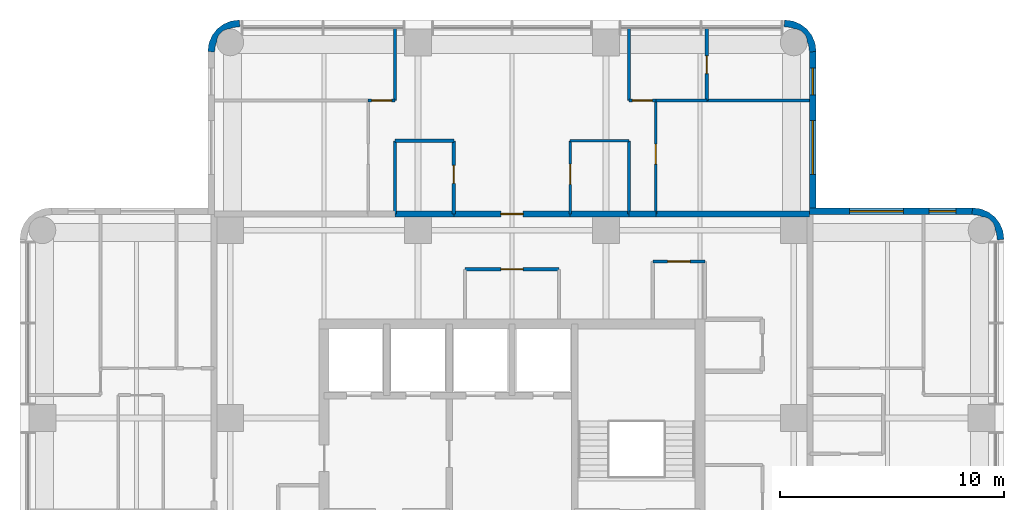
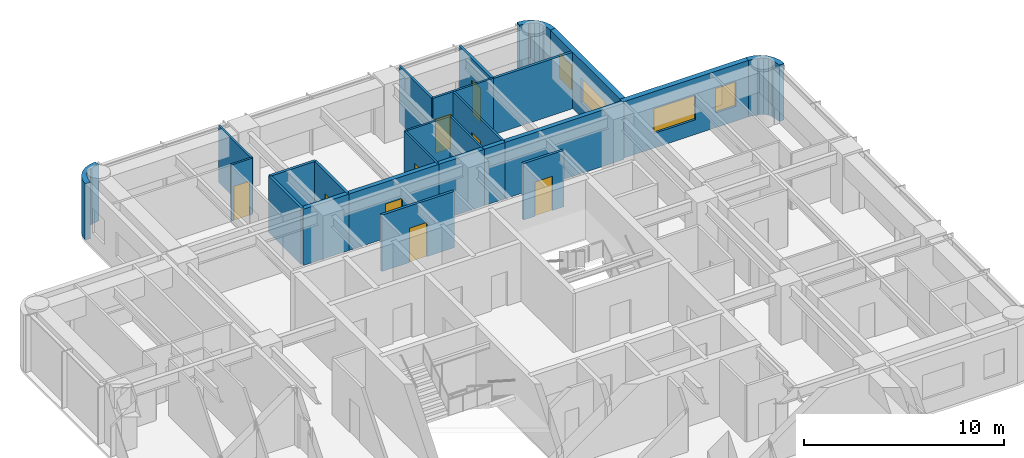
# One storey, part 8 of 10: 26 walls, 9 doors, 4 windows, 13 openings.
"""IFC4 building model written with IfcOpenShell, lengths in metres."""

from ifc_helpers import new_model, si_unit, direction, frame, frame_2d, origin, place, context, subcontext, project, spatial, polyline, rectangle, outline, extrude, material, layer, layer_set, type_object, element, fill, save


model = new_model("IFC4")

# Units and contexts
model_context = context("Model", 3, precision=1e-05, world=origin(), true_north=direction((0.0, 1.0)))
body_context = subcontext(model_context, "Body", "Model", "MODEL_VIEW")
ifc_project = project(units=[si_unit("LENGTHUNIT", "METRE"), si_unit("AREAUNIT", "SQUARE_METRE"), si_unit("VOLUMEUNIT", "CUBIC_METRE"), si_unit("PLANEANGLEUNIT", "RADIAN"), si_unit("MASSUNIT", "GRAM", prefix="KILO")], contexts=[model_context])

# Site, building, storey
site_placement = place(None, origin())
site = spatial("IfcSite", under=ifc_project, at=site_placement, CompositionType="ELEMENT")
building_placement = place(site_placement, origin())
building = spatial("IfcBuilding", under=site, at=building_placement, Name="Torre Alcanfor", CompositionType="ELEMENT")
storey_placement = place(building_placement, frame((0.0, 0.0, 261.300048828125)))
storey = spatial("IfcBuildingStorey", under=building, at=storey_placement, Name="L68", CompositionType="ELEMENT", Elevation=261.300048828125)

# Wall, opening, door
ifc_material_1 = material(Name="Concrete block masonry, hollow blocks NMX-C-404 9 MPa", Category="masonry")
ifc_layer_1 = layer(ifc_material_1, 0.25)
ifc_layer_set_1 = layer_set([ifc_layer_1], Name="Apartment entrance wall 250 EI 60")
wall_type_1 = type_object("IfcWallType", Name="Apartment entrance wall 250 EI 60", PredefinedType="PARTITIONING", material=ifc_layer_set_1)
wall_1_placement = place(storey_placement, frame((26.800048828125, 42.72509765625, 0.0), z_axis=(0.0, 0.0, 1.0), x_axis=(1.0, 0.0, 0.0)))
wall_1 = element("IfcWall", 1, at=wall_1_placement, inside=storey, type_object=wall_type_1, Name="Partition L68-CORR / L68-NX-ZAG", PredefinedType="PARTITIONING", context=body_context, shape_type="SweptSolid", body=[
    extrude(rectangle(XDim=5.199951171875, YDim=0.25, at=frame_2d((2.60009765625, 0.0))), origin(), (0.0, 0.0, 1.0), 3.449951171875),
])
opening_1_placement = place(wall_1_placement, frame((2.10009765625, 0.0, 0.0)))
opening_1 = element("IfcOpeningElement", 2, at=opening_1_placement, cuts=wall_1, Name="Opening D-A1", PredefinedType="OPENING", context=body_context, shape_type="SweptSolid", body=[
    extrude(rectangle(XDim=1.0, YDim=2.10009765625, at=frame_2d((0.5, 1.050048828125))), frame((0.0, 0.135009765625, 0.0), z_axis=(0.0, -1.0, 0.0), x_axis=(1.0, 0.0, 0.0)), (0.0, 0.0, 1.0), 0.27001953125),
])
ifc_material_2 = material(Name="Galvanised steel sheet ASTM A653", Category="steel")
door_type_1 = type_object("IfcDoorType", Name="Apartment entrance door FD60 1000x2100", OperationType="SINGLE_SWING_LEFT", PredefinedType="DOOR", material=ifc_material_2)
door_1_placement = place(opening_1_placement, origin())
door_1 = element("IfcDoor", 3, at=door_1_placement, inside=storey, type_object=door_type_1, Name="Apartment entrance L68-NX", OperationType="SINGLE_SWING_LEFT", OverallHeight=2.10009765625, OverallWidth=1.0, PredefinedType="DOOR", context=body_context, shape_type="SweptSolid", body=[
    extrude(rectangle(XDim=1.0, YDim=2.10009765625, at=frame_2d((0.5, 1.050048828125))), frame((0.0, 0.02490234375, 0.0), z_axis=(0.0, -1.0, 0.0), x_axis=(1.0, 0.0, 0.0)), (0.0, 0.0, 1.0), 0.050048828125),
])
fill(opening_1, door_1)

# Walls
wall_2_placement = place(storey_placement, frame((24.1708984375, 42.72509765625, 0.0), z_axis=(0.0, 0.0, 1.0), x_axis=(1.0, 0.0, 0.0)))
element("IfcWall", 4, at=wall_2_placement, inside=storey, type_object=wall_type_1, Name="Partition L68-CORR / L68-NX-BATH2", PredefinedType="PARTITIONING", context=body_context, shape_type="SweptSolid", body=[
    extrude(rectangle(XDim=2.629150390625, YDim=0.25, at=frame_2d((1.314453125, 0.0))), origin(), (0.0, 0.0, 1.0), 3.449951171875),
])
wall_3_placement = place(storey_placement, frame((32.0, 42.72509765625, 0.0), z_axis=(0.0, 0.0, 1.0), x_axis=(1.0, 0.0, 0.0)))
element("IfcWall", 5, at=wall_3_placement, inside=storey, type_object=wall_type_1, Name="Partition L68-CORR / L68-NX-KITCHEN", PredefinedType="PARTITIONING", context=body_context, shape_type="SweptSolid", body=[
    extrude(rectangle(XDim=2.62890625, YDim=0.25, at=frame_2d((1.314453125, 0.0))), origin(), (0.0, 0.0, 1.0), 3.449951171875),
])
wall_4_placement = place(storey_placement, frame((34.62890625, 42.72509765625, 0.0), z_axis=(0.0, 0.0, 1.0), x_axis=(1.0, 0.0, 0.0)))
element("IfcWall", 6, at=wall_4_placement, inside=storey, type_object=wall_type_1, Name="Partition L68-CORR / L68-NX-LIVING", PredefinedType="PARTITIONING", context=body_context, shape_type="SweptSolid", body=[
    extrude(rectangle(XDim=1.2001953125, YDim=0.25, at=frame_2d((0.60009765625, 0.0))), origin(), (0.0, 0.0, 1.0), 3.449951171875),
])
wall_5_placement = place(storey_placement, frame((35.8291015625, 42.72509765625, 0.0), z_axis=(0.0, 0.0, 1.0), x_axis=(1.0, 0.0, 0.0)))
element("IfcWall", 7, at=wall_5_placement, inside=storey, type_object=wall_type_1, Name="Partition L68-CORR / L68-NX-BED3", PredefinedType="PARTITIONING", context=body_context, shape_type="SweptSolid", body=[
    extrude(rectangle(XDim=6.870849609375, YDim=0.25, at=frame_2d((3.435546875, 0.0))), origin(), (0.0, 0.0, 1.0), 3.449951171875),
])

# Wall, opening, door
ifc_material_3 = material(Name="Gypsum board on steel studs", Category="steel")
ifc_layer_2 = layer(ifc_material_3, 0.1201171875)
ifc_layer_set_2 = layer_set([ifc_layer_2], Name="Apartment partition 120")
wall_type_2 = type_object("IfcWallType", Name="Apartment partition 120", PredefinedType="PARTITIONING", material=ifc_layer_set_2)
wall_6_placement = place(storey_placement, frame((32.0, 42.72509765625, 0.0), z_axis=(0.0, 0.0, 1.0), x_axis=(0.0, 1.0, 0.0)))
wall_6 = element("IfcWall", 8, at=wall_6_placement, inside=storey, type_object=wall_type_2, Name="Partition L68-NX-ZAG / L68-NX-KITCHEN", PredefinedType="PARTITIONING", context=body_context, shape_type="SweptSolid", body=[
    extrude(rectangle(XDim=3.27490234375, YDim=0.1201171875, at=frame_2d((1.637451171875, 0.0))), origin(), (0.0, 0.0, 1.0), 3.449951171875),
])
opening_2_placement = place(wall_6_placement, frame((1.324951171875, 0.0, 0.0)))
opening_2 = element("IfcOpeningElement", 9, at=opening_2_placement, cuts=wall_6, Name="Opening D-R1", PredefinedType="OPENING", context=body_context, shape_type="SweptSolid", body=[
    extrude(rectangle(XDim=0.89990234375, YDim=2.10009765625, at=frame_2d((0.449951171875, 1.050048828125))), frame((0.0, 0.070068359375, 0.0), z_axis=(0.0, -1.0, 0.0), x_axis=(1.0, 0.0, 0.0)), (0.0, 0.0, 1.0), 0.14013671875),
])
ifc_material_4 = material(Name="Timber", Category="wood")
door_type_2 = type_object("IfcDoorType", Name="Internal door 900x2100", OperationType="SINGLE_SWING_LEFT", PredefinedType="DOOR", material=ifc_material_4)
door_2_placement = place(opening_2_placement, frame((0.89990234375, 0.0, 0.0), z_axis=(0.0, 0.0, 1.0), x_axis=(-1.0, 0.0, 0.0)))
door_2 = element("IfcDoor", 10, at=door_2_placement, inside=storey, type_object=door_type_2, Name="Door L68-NX kitchen", OperationType="SINGLE_SWING_LEFT", OverallHeight=2.10009765625, OverallWidth=0.89990234375, PredefinedType="DOOR", context=body_context, shape_type="SweptSolid", body=[
    extrude(rectangle(XDim=0.89990234375, YDim=2.10009765625, at=frame_2d((0.449951171875, 1.050048828125))), frame((0.0, 0.025146484375, 0.0), z_axis=(0.0, -1.0, 0.0), x_axis=(1.0, 0.0, 0.0)), (0.0, 0.0, 1.0), 0.050048828125),
])
fill(opening_2, door_2)

# Walls
wall_7_placement = place(storey_placement, frame((34.62890625, 42.72509765625, 0.0), z_axis=(0.0, 0.0, 1.0), x_axis=(0.0, 1.0, 0.0)))
element("IfcWall", 11, at=wall_7_placement, inside=storey, type_object=wall_type_2, Name="Partition L68-NX-KITCHEN / L68-NX-LIVING", PredefinedType="PARTITIONING", context=body_context, shape_type="SweptSolid", body=[
    extrude(rectangle(XDim=3.27490234375, YDim=0.1201171875, at=frame_2d((1.637451171875, 0.0))), origin(), (0.0, 0.0, 1.0), 3.449951171875),
])
wall_8_placement = place(storey_placement, frame((34.62890625, 46.0, 0.0), z_axis=(0.0, 0.0, 1.0), x_axis=(-1.0, 0.0, 0.0)))
element("IfcWall", 12, at=wall_8_placement, inside=storey, type_object=wall_type_2, Name="Partition L68-NX-KITCHEN / L68-NX-LIVING", PredefinedType="PARTITIONING", context=body_context, shape_type="SweptSolid", body=[
    extrude(rectangle(XDim=2.62890625, YDim=0.1201171875, at=frame_2d((1.314453125, 0.0))), origin(), (0.0, 0.0, 1.0), 3.449951171875),
])

# Wall, opening, door
wall_9_placement = place(storey_placement, frame((22.970947265625, 47.800048828125, 0.0), z_axis=(0.0, 0.0, 1.0), x_axis=(1.0, 0.0, 0.0)))
wall_9 = element("IfcWall", 13, at=wall_9_placement, inside=storey, type_object=wall_type_2, Name="Partition L68-NX-LIVING / L68-NX-MASTER", PredefinedType="PARTITIONING", context=body_context, shape_type="SweptSolid", body=[
    extrude(rectangle(XDim=1.199951171875, YDim=0.1201171875, at=frame_2d((0.60009765625, 0.0))), origin(), (0.0, 0.0, 1.0), 3.449951171875),
])
opening_3_placement = place(wall_9_placement, frame((0.14892578125, 0.0, 0.0)))
opening_3 = element("IfcOpeningElement", 14, at=opening_3_placement, cuts=wall_9, Name="Opening D-R1", PredefinedType="OPENING", context=body_context, shape_type="SweptSolid", body=[
    extrude(rectangle(XDim=0.89990234375, YDim=2.10009765625, at=frame_2d((0.449951171875, 1.050048828125))), frame((0.0, 0.070068359375, 0.0), z_axis=(0.0, -1.0, 0.0), x_axis=(1.0, 0.0, 0.0)), (0.0, 0.0, 1.0), 0.14013671875),
])
door_3_placement = place(opening_3_placement, origin())
door_3 = element("IfcDoor", 15, at=door_3_placement, inside=storey, type_object=door_type_2, Name="Door L68-NX master", OperationType="SINGLE_SWING_RIGHT", OverallHeight=2.10009765625, OverallWidth=0.89990234375, PredefinedType="DOOR", context=body_context, shape_type="SweptSolid", body=[
    extrude(rectangle(XDim=0.89990234375, YDim=2.10009765625, at=frame_2d((0.449951171875, 1.050048828125))), frame((0.0, 0.02490234375, 0.0), z_axis=(0.0, -1.0, 0.0), x_axis=(1.0, 0.0, 0.0)), (0.0, 0.0, 1.0), 0.050048828125),
])
fill(opening_3, door_3)

# Wall
wall_10_placement = place(storey_placement, frame((24.1708984375, 47.800048828125, 0.0), z_axis=(0.0, 0.0, 1.0), x_axis=(0.0, 1.0, 0.0)))
element("IfcWall", 16, at=wall_10_placement, inside=storey, type_object=wall_type_2, Name="Partition L68-NX-LIVING / L68-NX-MASTER", PredefinedType="PARTITIONING", context=body_context, shape_type="SweptSolid", body=[
    extrude(rectangle(XDim=3.25, YDim=0.1201171875, at=frame_2d((1.625, 0.0))), origin(), (0.0, 0.0, 1.0), 3.449951171875),
])

# Wall, opening, door
wall_11_placement = place(storey_placement, frame((35.8291015625, 47.800048828125, 0.0), z_axis=(0.0, 0.0, 1.0), x_axis=(0.0, -1.0, 0.0)))
wall_11 = element("IfcWall", 17, at=wall_11_placement, inside=storey, type_object=wall_type_2, Name="Partition L68-NX-LIVING / L68-NX-BED3", PredefinedType="PARTITIONING", context=body_context, shape_type="SweptSolid", body=[
    extrude(rectangle(XDim=5.074951171875, YDim=0.1201171875, at=frame_2d((2.53759765625, 0.0))), origin(), (0.0, 0.0, 1.0), 3.449951171875),
])
opening_4_placement = place(wall_11_placement, frame((1.949951171875, 0.0, 0.0)))
opening_4 = element("IfcOpeningElement", 18, at=opening_4_placement, cuts=wall_11, Name="Opening D-R1", PredefinedType="OPENING", context=body_context, shape_type="SweptSolid", body=[
    extrude(rectangle(XDim=0.89990234375, YDim=2.10009765625, at=frame_2d((0.449951171875, 1.050048828125))), frame((0.0, 0.070068359375, 0.0), z_axis=(0.0, -1.0, 0.0), x_axis=(1.0, 0.0, 0.0)), (0.0, 0.0, 1.0), 0.14013671875),
])
door_4_placement = place(opening_4_placement, origin())
door_4 = element("IfcDoor", 19, at=door_4_placement, inside=storey, type_object=door_type_2, Name="Door L68-NX bed3", OperationType="SINGLE_SWING_LEFT", OverallHeight=2.10009765625, OverallWidth=0.89990234375, PredefinedType="DOOR", context=body_context, shape_type="SweptSolid", body=[
    extrude(rectangle(XDim=0.89990234375, YDim=2.10009765625, at=frame_2d((0.449951171875, 1.050048828125))), frame((0.0, 0.02490234375, 0.0), z_axis=(0.0, -1.0, 0.0), x_axis=(1.0, 0.0, 0.0)), (0.0, 0.0, 1.0), 0.050048828125),
])
fill(opening_4, door_4)

# Wall
wall_12_placement = place(storey_placement, frame((34.62890625, 51.050048828125, 0.0), z_axis=(0.0, 0.0, 1.0), x_axis=(0.0, -1.0, 0.0)))
element("IfcWall", 20, at=wall_12_placement, inside=storey, type_object=wall_type_2, Name="Partition L68-NX-LIVING / L68-NX-BED1", PredefinedType="PARTITIONING", context=body_context, shape_type="SweptSolid", body=[
    extrude(rectangle(XDim=3.25, YDim=0.1201171875, at=frame_2d((1.625, 0.0))), origin(), (0.0, 0.0, 1.0), 3.449951171875),
])

# Wall, opening, door
wall_13_placement = place(storey_placement, frame((34.62890625, 47.800048828125, 0.0), z_axis=(0.0, 0.0, 1.0), x_axis=(1.0, 0.0, 0.0)))
wall_13 = element("IfcWall", 21, at=wall_13_placement, inside=storey, type_object=wall_type_2, Name="Partition L68-NX-LIVING / L68-NX-BED1", PredefinedType="PARTITIONING", context=body_context, shape_type="SweptSolid", body=[
    extrude(rectangle(XDim=1.2001953125, YDim=0.1201171875, at=frame_2d((0.60009765625, 0.0))), origin(), (0.0, 0.0, 1.0), 3.449951171875),
])
opening_5_placement = place(wall_13_placement, frame((0.15087890625, 0.0, 0.0)))
opening_5 = element("IfcOpeningElement", 22, at=opening_5_placement, cuts=wall_13, Name="Opening D-R1", PredefinedType="OPENING", context=body_context, shape_type="SweptSolid", body=[
    extrude(rectangle(XDim=0.89990234375, YDim=2.10009765625, at=frame_2d((0.449951171875, 1.050048828125))), frame((0.0, 0.070068359375, 0.0), z_axis=(0.0, -1.0, 0.0), x_axis=(1.0, 0.0, 0.0)), (0.0, 0.0, 1.0), 0.14013671875),
])
door_5_placement = place(opening_5_placement, origin())
door_5 = element("IfcDoor", 23, at=door_5_placement, inside=storey, type_object=door_type_2, Name="Door L68-NX bed1", OperationType="SINGLE_SWING_LEFT", OverallHeight=2.10009765625, OverallWidth=0.89990234375, PredefinedType="DOOR", context=body_context, shape_type="SweptSolid", body=[
    extrude(rectangle(XDim=0.89990234375, YDim=2.10009765625, at=frame_2d((0.449951171875, 1.050048828125))), frame((0.0, 0.02490234375, 0.0), z_axis=(0.0, -1.0, 0.0), x_axis=(1.0, 0.0, 0.0)), (0.0, 0.0, 1.0), 0.050048828125),
])
fill(opening_5, door_5)

# Wall
wall_14_placement = place(storey_placement, frame((38.114013671875, 47.800048828125, 0.0), z_axis=(0.0, 0.0, 1.0), x_axis=(-1.0, 0.0, 0.0)))
element("IfcWall", 24, at=wall_14_placement, inside=storey, type_object=wall_type_2, Name="Partition L68-NX-BED3 / L68-NX-BED1", PredefinedType="PARTITIONING", context=body_context, shape_type="SweptSolid", body=[
    extrude(rectangle(XDim=2.284912109375, YDim=0.1201171875, at=frame_2d((1.142578125, 0.0))), origin(), (0.0, 0.0, 1.0), 3.449951171875),
])

# Wall, openings, windows
ifc_material_5 = material(Name="Limestone cladding", Category="masonry")
ifc_layer_3 = layer(ifc_material_5, 0.0400390625, Name="Facing")
ifc_material_6 = material(Name="Ventilated air cavity")
ifc_layer_4 = layer(ifc_material_6, 0.02001953125, ventilated=True, Name="Ventilated joint")
ifc_material_7 = material(Name="Mineral wool insulation", Category="insulation")
ifc_layer_5 = layer(ifc_material_7, 0.10009765625, Name="Insulation")
ifc_material_8 = material(Name="Concrete f'c 35 MPa", Category="concrete")
ifc_layer_6 = layer(ifc_material_8, 0.139892578125, Name="Backing")
ifc_layer_set_3 = layer_set([ifc_layer_3, ifc_layer_4, ifc_layer_5, ifc_layer_6], Name="External wall stone-clad 300")
wall_type_3 = type_object("IfcWallType", Name="External wall stone-clad 300", PredefinedType="SOLIDWALL", material=ifc_layer_set_3)
wall_15_placement = place(storey_placement, frame((50.0, 42.85009765625, 0.0), z_axis=(0.0, 0.0, 1.0), x_axis=(-1.0, 0.0, 0.0)))
wall_15 = element("IfcWall", 25, at=wall_15_placement, inside=storey, type_object=wall_type_3, Name="External wall L68 9", PredefinedType="SOLIDWALL", context=body_context, shape_type="SweptSolid", body=[
    extrude(rectangle(XDim=7.300048828125, YDim=0.300048828125, at=frame_2d((3.64990234375, 0.0))), origin(), (0.0, 0.0, 1.0), 3.449951171875),
])
opening_6_placement = place(wall_15_placement, frame((3.10009765625, 0.0, 0.89990234375)))
opening_6 = element("IfcOpeningElement", 26, at=opening_6_placement, cuts=wall_15, Name="Opening W1", PredefinedType="OPENING", context=body_context, shape_type="SweptSolid", body=[
    extrude(rectangle(XDim=2.39990234375, YDim=1.5, at=frame_2d((1.199951171875, 0.75))), frame((0.0, 0.159912109375, 0.0), z_axis=(0.0, -1.0, 0.0), x_axis=(1.0, 0.0, 0.0)), (0.0, 0.0, 1.0), 0.320068359375),
])
opening_7_placement = place(wall_15_placement, frame((0.75, 0.0, 0.89990234375)))
opening_7 = element("IfcOpeningElement", 27, at=opening_7_placement, cuts=wall_15, Name="Opening W4", PredefinedType="OPENING", context=body_context, shape_type="SweptSolid", body=[
    extrude(rectangle(XDim=1.199951171875, YDim=1.5, at=frame_2d((0.60009765625, 0.75))), frame((0.0, 0.159912109375, 0.0), z_axis=(0.0, -1.0, 0.0), x_axis=(1.0, 0.0, 0.0)), (0.0, 0.0, 1.0), 0.320068359375),
])
ifc_material_9 = material(Name="Aluminium frame with clear double glazing", Category="aluminium")
window_type_1 = type_object("IfcWindowType", Name="Window bedroom 1200x1500", PartitioningType="SINGLE_PANEL", PredefinedType="WINDOW", material=ifc_material_9)
window_1_placement = place(opening_7_placement, origin())
window_1 = element("IfcWindow", 28, at=window_1_placement, inside=storey, type_object=window_type_1, Name="Window W4 L68-E1", OverallHeight=1.5, OverallWidth=1.199951171875, PartitioningType="SINGLE_PANEL", PredefinedType="WINDOW", context=body_context, shape_type="SweptSolid", body=[
    extrude(rectangle(XDim=1.199951171875, YDim=1.5, at=frame_2d((0.60009765625, 0.75))), frame((0.0, 0.030029296875, 0.0), z_axis=(0.0, -1.0, 0.0), x_axis=(1.0, 0.0, 0.0)), (0.0, 0.0, 1.0), 0.06005859375),
])
fill(opening_7, window_1)
ifc_material_10 = material(Name="Aluminium frame with clear double glazing", Category="aluminium")
window_type_2 = type_object("IfcWindowType", Name="Window bedroom 2400x1500", PartitioningType="SINGLE_PANEL", PredefinedType="WINDOW", material=ifc_material_10)
window_2_placement = place(opening_6_placement, origin())
window_2 = element("IfcWindow", 29, at=window_2_placement, inside=storey, type_object=window_type_2, Name="Window W1 L68-E1", OverallHeight=1.5, OverallWidth=2.39990234375, PartitioningType="SINGLE_PANEL", PredefinedType="WINDOW", context=body_context, shape_type="SweptSolid", body=[
    extrude(rectangle(XDim=2.39990234375, YDim=1.5, at=frame_2d((1.199951171875, 0.75))), frame((0.0, 0.030029296875, 0.0), z_axis=(0.0, -1.0, 0.0), x_axis=(1.0, 0.0, 0.0)), (0.0, 0.0, 1.0), 0.06005859375),
])
fill(opening_6, window_2)

wall_16_placement = place(storey_placement, frame((42.85009765625, 43.0, 0.0), z_axis=(0.0, 0.0, 1.0), x_axis=(0.0, 1.0, 0.0)))
wall_16 = element("IfcWall", 30, at=wall_16_placement, inside=storey, type_object=wall_type_3, Name="External wall L68 10", PredefinedType="SOLIDWALL", context=body_context, shape_type="SweptSolid", body=[
    extrude(rectangle(XDim=7.0, YDim=0.300048828125, at=frame_2d((3.5, 0.0))), origin(), (0.0, 0.0, 1.0), 3.449951171875),
])
opening_8_placement = place(wall_16_placement, frame((1.5, 0.0, 0.89990234375)))
opening_8 = element("IfcOpeningElement", 31, at=opening_8_placement, cuts=wall_16, Name="Opening W1", PredefinedType="OPENING", context=body_context, shape_type="SweptSolid", body=[
    extrude(rectangle(XDim=2.39990234375, YDim=1.5, at=frame_2d((1.199951171875, 0.75))), frame((0.0, 0.159912109375, 0.0), z_axis=(0.0, -1.0, 0.0), x_axis=(1.0, 0.0, 0.0)), (0.0, 0.0, 1.0), 0.320068359375),
])
opening_9_placement = place(wall_16_placement, frame((5.050048828125, 0.0, 0.89990234375)))
opening_9 = element("IfcOpeningElement", 32, at=opening_9_placement, cuts=wall_16, Name="Opening W4", PredefinedType="OPENING", context=body_context, shape_type="SweptSolid", body=[
    extrude(rectangle(XDim=1.199951171875, YDim=1.5, at=frame_2d((0.60009765625, 0.75))), frame((0.0, 0.159912109375, 0.0), z_axis=(0.0, -1.0, 0.0), x_axis=(1.0, 0.0, 0.0)), (0.0, 0.0, 1.0), 0.320068359375),
])
window_3_placement = place(opening_9_placement, origin())
window_3 = element("IfcWindow", 33, at=window_3_placement, inside=storey, type_object=window_type_1, Name="Window W4 L68-N2", OverallHeight=1.5, OverallWidth=1.199951171875, PartitioningType="SINGLE_PANEL", PredefinedType="WINDOW", context=body_context, shape_type="SweptSolid", body=[
    extrude(rectangle(XDim=1.199951171875, YDim=1.5, at=frame_2d((0.60009765625, 0.75))), frame((0.0, 0.030029296875, 0.0), z_axis=(0.0, -1.0, 0.0), x_axis=(1.0, 0.0, 0.0)), (0.0, 0.0, 1.0), 0.06005859375),
])
fill(opening_9, window_3)
window_4_placement = place(opening_8_placement, origin())
window_4 = element("IfcWindow", 34, at=window_4_placement, inside=storey, type_object=window_type_2, Name="Window W1 L68-N2", OverallHeight=1.5, OverallWidth=2.39990234375, PartitioningType="SINGLE_PANEL", PredefinedType="WINDOW", context=body_context, shape_type="SweptSolid", body=[
    extrude(rectangle(XDim=2.39990234375, YDim=1.5, at=frame_2d((1.199951171875, 0.75))), frame((0.0, 0.030029296875, 0.0), z_axis=(0.0, -1.0, 0.0), x_axis=(1.0, 0.0, 0.0)), (0.0, 0.0, 1.0), 0.06005859375),
])
fill(opening_8, window_4)

# Wall, opening, door
ifc_material_11 = material(Name="Concrete block masonry, hollow blocks NMX-C-404 9 MPa", Category="masonry")
ifc_layer_7 = layer(ifc_material_11, 0.14990234375)
ifc_layer_set_4 = layer_set([ifc_layer_7], Name="Residents' room partition 150")
wall_type_4 = type_object("IfcWallType", Name="Residents' room partition 150", PredefinedType="PARTITIONING", material=ifc_layer_set_4)
wall_17_placement = place(storey_placement, frame((31.5, 40.25, 0.0), z_axis=(0.0, 0.0, 1.0), x_axis=(-1.0, 0.0, 0.0)))
wall_17 = element("IfcWall", 35, at=wall_17_placement, inside=storey, type_object=wall_type_4, Name="Partition L68-CORR / L68-G01", PredefinedType="PARTITIONING", context=body_context, shape_type="SweptSolid", body=[
    extrude(rectangle(XDim=4.199951171875, YDim=0.14990234375, at=frame_2d((2.10009765625, 0.0))), origin(), (0.0, 0.0, 1.0), 3.449951171875),
])
opening_10_placement = place(wall_17_placement, frame((1.60009765625, 0.0, 0.0)))
opening_10 = element("IfcOpeningElement", 36, at=opening_10_placement, cuts=wall_17, Name="Opening D-M1", PredefinedType="OPENING", context=body_context, shape_type="SweptSolid", body=[
    extrude(rectangle(XDim=1.0, YDim=2.10009765625, at=frame_2d((0.5, 1.050048828125))), frame((0.0, 0.0849609375, 0.0), z_axis=(0.0, -1.0, 0.0), x_axis=(1.0, 0.0, 0.0)), (0.0, 0.0, 1.0), 0.169921875),
])
ifc_material_12 = material(Name="Timber", Category="wood")
door_type_3 = type_object("IfcDoorType", Name="Residents' room door 1000x2100", OperationType="SINGLE_SWING_LEFT", PredefinedType="DOOR", material=ifc_material_12)
door_6_placement = place(opening_10_placement, origin())
door_6 = element("IfcDoor", 37, at=door_6_placement, inside=storey, type_object=door_type_3, Name="Door L68-G01 cleaners' store", OperationType="SINGLE_SWING_LEFT", OverallHeight=2.10009765625, OverallWidth=1.0, PredefinedType="DOOR", context=body_context, shape_type="SweptSolid", body=[
    extrude(rectangle(XDim=1.0, YDim=2.10009765625, at=frame_2d((0.5, 1.050048828125))), frame((0.0, 0.02490234375, 0.0), z_axis=(0.0, -1.0, 0.0), x_axis=(1.0, 0.0, 0.0)), (0.0, 0.0, 1.0), 0.050048828125),
])
fill(opening_10, door_6)

wall_18_placement = place(storey_placement, frame((38.02490234375, 40.60009765625, 0.0), z_axis=(0.0, 0.0, 1.0), x_axis=(-1.0, 0.0, 0.0)))
wall_18 = element("IfcWall", 38, at=wall_18_placement, inside=storey, type_object=wall_type_4, Name="Partition L68-CORR / L68-G02", PredefinedType="PARTITIONING", context=body_context, shape_type="SweptSolid", body=[
    extrude(rectangle(XDim=2.324951171875, YDim=0.14990234375, at=frame_2d((1.16259765625, 0.0))), origin(), (0.0, 0.0, 1.0), 3.449951171875),
])
opening_11_placement = place(wall_18_placement, frame((0.66259765625, 0.0, 0.0)))
opening_11 = element("IfcOpeningElement", 39, at=opening_11_placement, cuts=wall_18, Name="Opening D-M1", PredefinedType="OPENING", context=body_context, shape_type="SweptSolid", body=[
    extrude(rectangle(XDim=1.0, YDim=2.10009765625, at=frame_2d((0.5, 1.050048828125))), frame((0.0, 0.0849609375, 0.0), z_axis=(0.0, -1.0, 0.0), x_axis=(1.0, 0.0, 0.0)), (0.0, 0.0, 1.0), 0.169921875),
])
door_7_placement = place(opening_11_placement, origin())
door_7 = element("IfcDoor", 40, at=door_7_placement, inside=storey, type_object=door_type_3, Name="Door L68-G02 linen store", OperationType="SINGLE_SWING_LEFT", OverallHeight=2.10009765625, OverallWidth=1.0, PredefinedType="DOOR", context=body_context, shape_type="SweptSolid", body=[
    extrude(rectangle(XDim=1.0, YDim=2.10009765625, at=frame_2d((0.5, 1.050048828125))), frame((0.0, 0.02490234375, 0.0), z_axis=(0.0, -1.0, 0.0), x_axis=(1.0, 0.0, 0.0)), (0.0, 0.0, 1.0), 0.050048828125),
])
fill(opening_11, door_7)

# Walls
ifc_layer_8 = layer(ifc_material_5, 0.0400390625, Name="Facing")
ifc_layer_9 = layer(ifc_material_6, 0.02001953125, ventilated=True, Name="Ventilated joint")
ifc_layer_10 = layer(ifc_material_7, 0.10009765625, Name="Insulation")
ifc_layer_11 = layer(ifc_material_8, 0.139892578125, Name="Backing")
ifc_layer_set_5 = layer_set([ifc_layer_8, ifc_layer_9, ifc_layer_10, ifc_layer_11], Name="Rounded corner pier stone-clad 300")
wall_type_5 = type_object("IfcWallType", Name="Rounded corner pier stone-clad 300", PredefinedType="SOLIDWALL", material=ifc_layer_set_5)
wall_19_placement = place(storey_placement, frame((50.975898117, 41.638418254, 0.0), z_axis=(0.0, 0.0, 1.0), x_axis=(0.707106781187, 0.707106781187, 0.0)))
element("IfcWall", 41, at=wall_19_placement, inside=storey, type_object=wall_type_5, Name="Corner pier L68 18", PredefinedType="SOLIDWALL", context=body_context, shape_type="SweptSolid", body=[
    extrude(outline(polyline([(0.23318643990489343, 0.11416555226925765), (0.04674226908422171, -0.12890240376361806), (0.032758956272671336, -0.14288571657516844), (0.27271950945853585, -0.32691301851483145), (0.4952440800028376, -0.03706138628528721), (0.6350772081183413, 0.3006097230899294), (0.682724051772513, 0.6627947882582343), (0.6350772081183413, 1.0253251204095404), (0.4952440800028376, 1.3629962297847569), (0.27271950945853585, 1.6528478620143012), (0.032586322781170685, 1.4686479265831376), (0.04656963559272109, 1.454664613771587), (0.2330138064133928, 1.2115966577387114), (0.2922270939981062, 1.0691740272506984), (0.35800045425984317, 1.0034006669889615), (0.44949620475517277, 0.7824297978681654), (0.4493235712636722, 0.5433324121398039), (0.3578278207683425, 0.32236154301900777), (0.29222709399810615, 0.2567608162487714), (0.23318643990489343, 0.11416555226925765)])), origin(), (0.0, 0.0, 1.0), 3.449951171875),
])
wall_20_placement = place(storey_placement, frame((42.575898117, 50.038418254, 0.0), z_axis=(0.0, 0.0, 1.0), x_axis=(0.707106781187, 0.707106781187, 0.0)))
element("IfcWall", 42, at=wall_20_placement, inside=storey, type_object=wall_type_5, Name="Corner pier L68 19", PredefinedType="SOLIDWALL", context=body_context, shape_type="SweptSolid", body=[
    extrude(outline(polyline([(0.2330138064133928, 0.11420007896755979), (0.0465696355927211, -0.12886787706531594), (0.03258632278117072, -0.14285118987686632), (0.27271950945853585, -0.32705112530802993), (0.4952440800028376, -0.03719949307848569), (0.6350772081183413, 0.3004716162967309), (0.682724051772513, 0.663001948448037), (0.6350772081183413, 1.025187013616342), (0.4952440800028376, 1.3628581229915584), (0.27271950945853596, 1.6527097552211027), (0.032758956272671336, 1.4686824532814398), (0.046742269084221744, 1.4546991404698892), (0.23318643990489346, 1.2116311844370136), (0.2922270939981061, 1.0690359204575), (0.35782782076834246, 1.0034351936872634), (0.4493235712636722, 0.7824643245664674), (0.44949620475517277, 0.543366938838106), (0.3580004542598431, 0.3223960697173099), (0.29222709399810615, 0.2566227094555729), (0.2330138064133928, 0.11420007896755979)])), origin(), (0.0, 0.0, 1.0), 3.449951171875),
])
wall_21_placement = place(storey_placement, frame((17.161581746, 50.975898117, 0.0), z_axis=(0.0, 0.0, 1.0), x_axis=(-0.707106781187, 0.707106781187, 0.0)))
element("IfcWall", 43, at=wall_21_placement, inside=storey, type_object=wall_type_5, Name="Corner pier L68 20", PredefinedType="SOLIDWALL", context=body_context, shape_type="SweptSolid", body=[
    extrude(outline(polyline([(0.04670774238592209, -0.12893693046191768), (0.03272442957437171, -0.14292024327346806), (0.2726849827602362, -0.3269475452131311), (0.495209553304538, -0.03709591298358683), (0.6350426814200417, 0.3005751963916298), (0.6826895250742134, 0.6627602615599347), (0.6350426814200417, 1.0252905937112406), (0.495209553304538, 1.3629617030864574), (0.2726849827602362, 1.6528133353160017), (0.032551796082871065, 1.468613399884838), (0.04653510889442147, 1.4546300870732876), (0.23315191320659384, 1.2117347645319125), (0.2921925672998066, 1.069139500552399), (0.35796592756154355, 1.003366140290662), (0.44946167805687315, 0.7823952711698656), (0.44928904456537255, 0.5432978854415043), (0.3579659275615435, 0.32249964981220874), (0.2921925672998065, 0.2567262895504718), (0.2331519132065938, 0.11413102557095803), (0.04670774238592209, -0.12893693046191768)])), origin(), (0.0, 0.0, 1.0), 3.449951171875),
])

# Wall, opening, door
ifc_material_13 = material(Name="Cement board on steel studs", Category="steel")
ifc_layer_12 = layer(ifc_material_13, 0.14990234375)
ifc_layer_set_6 = layer_set([ifc_layer_12], Name="Wet area partition 150")
wall_type_6 = type_object("IfcWallType", Name="Wet area partition 150", PredefinedType="PARTITIONING", material=ifc_layer_set_6)
wall_22_placement = place(storey_placement, frame((26.800048828125, 46.0, 0.0), z_axis=(0.0, 0.0, 1.0), x_axis=(0.0, -1.0, 0.0)))
wall_22 = element("IfcWall", 44, at=wall_22_placement, inside=storey, type_object=wall_type_6, Name="Partition L68-NX-ZAG / L68-NX-BATH2", PredefinedType="PARTITIONING", context=body_context, shape_type="SweptSolid", body=[
    extrude(rectangle(XDim=3.27490234375, YDim=0.14990234375, at=frame_2d((1.637451171875, 0.0))), origin(), (0.0, 0.0, 1.0), 3.449951171875),
])
opening_12_placement = place(wall_22_placement, frame((1.10009765625, 0.0, 0.0)))
opening_12 = element("IfcOpeningElement", 45, at=opening_12_placement, cuts=wall_22, Name="Opening D-R2", PredefinedType="OPENING", context=body_context, shape_type="SweptSolid", body=[
    extrude(rectangle(XDim=0.800048828125, YDim=2.10009765625, at=frame_2d((0.39990234375, 1.050048828125))), frame((0.0, 0.0849609375, 0.0), z_axis=(0.0, -1.0, 0.0), x_axis=(1.0, 0.0, 0.0)), (0.0, 0.0, 1.0), 0.169921875),
])
ifc_material_14 = material(Name="Timber", Category="wood")
door_type_4 = type_object("IfcDoorType", Name="Bathroom door 800x2100", OperationType="SINGLE_SWING_LEFT", PredefinedType="DOOR", material=ifc_material_14)
door_8_placement = place(opening_12_placement, frame((0.800048828125, 0.0, 0.0), z_axis=(0.0, 0.0, 1.0), x_axis=(-1.0, 0.0, 0.0)))
door_8 = element("IfcDoor", 46, at=door_8_placement, inside=storey, type_object=door_type_4, Name="Door L68-NX bath2", OperationType="SINGLE_SWING_RIGHT", OverallHeight=2.10009765625, OverallWidth=0.800048828125, PredefinedType="DOOR", context=body_context, shape_type="SweptSolid", body=[
    extrude(rectangle(XDim=0.800048828125, YDim=2.10009765625, at=frame_2d((0.400146484375, 1.050048828125))), frame((0.0, 0.025146484375, 0.0), z_axis=(0.0, -1.0, 0.0), x_axis=(1.0, 0.0, 0.0)), (0.0, 0.0, 1.0), 0.050048828125),
])
fill(opening_12, door_8)

# Walls
wall_23_placement = place(storey_placement, frame((26.800048828125, 46.0, 0.0), z_axis=(0.0, 0.0, 1.0), x_axis=(-1.0, 0.0, 0.0)))
element("IfcWall", 47, at=wall_23_placement, inside=storey, type_object=wall_type_6, Name="Partition L68-NX-BATH2 / L68-NX-LIVING", PredefinedType="PARTITIONING", context=body_context, shape_type="SweptSolid", body=[
    extrude(rectangle(XDim=2.629150390625, YDim=0.14990234375, at=frame_2d((1.314453125, 0.0))), origin(), (0.0, 0.0, 1.0), 3.449951171875),
])
wall_24_placement = place(storey_placement, frame((24.1708984375, 46.0, 0.0), z_axis=(0.0, 0.0, 1.0), x_axis=(0.0, -1.0, 0.0)))
element("IfcWall", 48, at=wall_24_placement, inside=storey, type_object=wall_type_6, Name="Partition L68-NX-BATH2 / L68-NX-LIVING", PredefinedType="PARTITIONING", context=body_context, shape_type="SweptSolid", body=[
    extrude(rectangle(XDim=3.27490234375, YDim=0.14990234375, at=frame_2d((1.637451171875, 0.0))), origin(), (0.0, 0.0, 1.0), 3.449951171875),
])
wall_25_placement = place(storey_placement, frame((42.699951171875, 47.800048828125, 0.0), z_axis=(0.0, 0.0, 1.0), x_axis=(-1.0, 0.0, 0.0)))
element("IfcWall", 49, at=wall_25_placement, inside=storey, type_object=wall_type_6, Name="Partition L68-NX-BED3 / L68-NX-BATH1", PredefinedType="PARTITIONING", context=body_context, shape_type="SweptSolid", body=[
    extrude(rectangle(XDim=4.5859375, YDim=0.14990234375, at=frame_2d((2.29296875, 0.0))), origin(), (0.0, 0.0, 1.0), 3.449951171875),
])

# Wall, opening, door
wall_26_placement = place(storey_placement, frame((38.114013671875, 51.050048828125, 0.0), z_axis=(0.0, 0.0, 1.0), x_axis=(0.0, -1.0, 0.0)))
wall_26 = element("IfcWall", 50, at=wall_26_placement, inside=storey, type_object=wall_type_6, Name="Partition L68-NX-BATH1 / L68-NX-BED1", PredefinedType="PARTITIONING", context=body_context, shape_type="SweptSolid", body=[
    extrude(rectangle(XDim=3.25, YDim=0.14990234375, at=frame_2d((1.625, 0.0))), origin(), (0.0, 0.0, 1.0), 3.449951171875),
])
opening_13_placement = place(wall_26_placement, frame((1.25, 0.0, 0.0)))
opening_13 = element("IfcOpeningElement", 51, at=opening_13_placement, cuts=wall_26, Name="Opening D-R2", PredefinedType="OPENING", context=body_context, shape_type="SweptSolid", body=[
    extrude(rectangle(XDim=0.800048828125, YDim=2.10009765625, at=frame_2d((0.39990234375, 1.050048828125))), frame((0.0, 0.0849609375, 0.0), z_axis=(0.0, -1.0, 0.0), x_axis=(1.0, 0.0, 0.0)), (0.0, 0.0, 1.0), 0.169921875),
])
door_9_placement = place(opening_13_placement, frame((0.800048828125, 0.0, 0.0), z_axis=(0.0, 0.0, 1.0), x_axis=(-1.0, 0.0, 0.0)))
door_9 = element("IfcDoor", 52, at=door_9_placement, inside=storey, type_object=door_type_4, Name="Door L68-NX bath1", OperationType="SINGLE_SWING_LEFT", OverallHeight=2.10009765625, OverallWidth=0.800048828125, PredefinedType="DOOR", context=body_context, shape_type="SweptSolid", body=[
    extrude(rectangle(XDim=0.800048828125, YDim=2.10009765625, at=frame_2d((0.400146484375, 1.050048828125))), frame((0.0, 0.025146484375, 0.0), z_axis=(0.0, -1.0, 0.0), x_axis=(1.0, 0.0, 0.0)), (0.0, 0.0, 1.0), 0.050048828125),
])
fill(opening_13, door_9)

save(model, "model.ifc")
